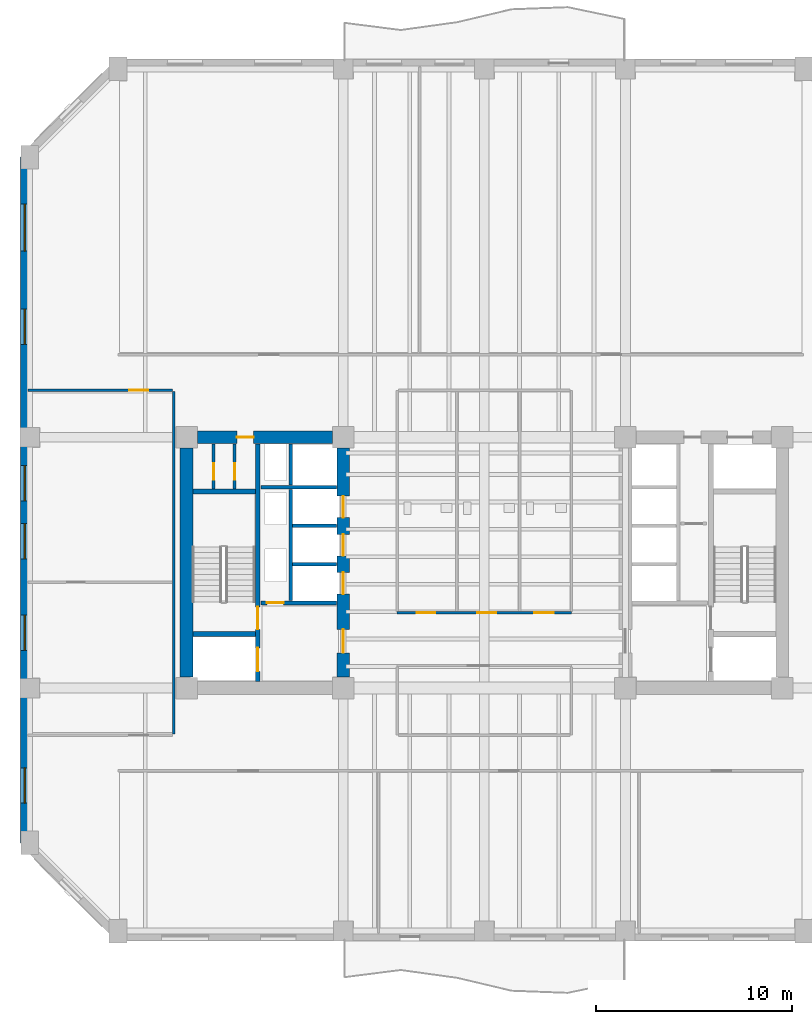
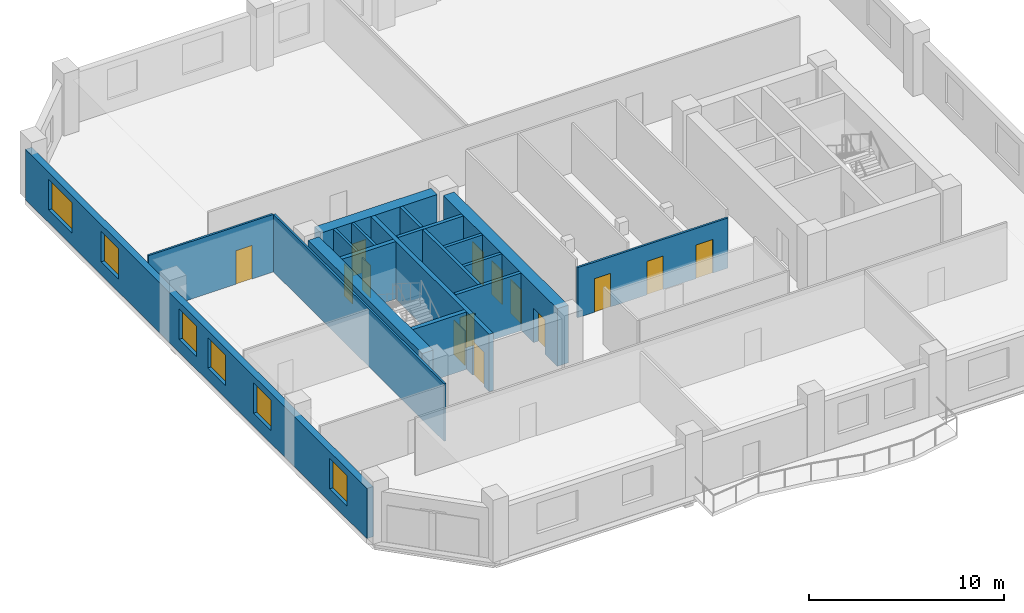
# One storey, part 3 of 10: 18 walls, 14 doors, 6 windows, 20 openings.
"""IFC4 building model written with IfcOpenShell, lengths in metres."""

from ifc_helpers import new_model, si_unit, direction, frame, frame_2d, origin, place, context, subcontext, project, spatial, rectangle, extrude, material, layer, layer_set, type_object, element, fill, save


model = new_model("IFC4")

# Units and contexts
model_context = context("Model", 3, precision=1e-05, world=origin(), true_north=direction((0.0, 1.0)))
body_context = subcontext(model_context, "Body", "Model", "MODEL_VIEW")
ifc_project = project(units=[si_unit("LENGTHUNIT", "METRE"), si_unit("AREAUNIT", "SQUARE_METRE"), si_unit("VOLUMEUNIT", "CUBIC_METRE"), si_unit("PLANEANGLEUNIT", "RADIAN"), si_unit("MASSUNIT", "GRAM", prefix="KILO")], contexts=[model_context])

# Site, building, storey
site_placement = place(None, origin())
site = spatial("IfcSite", under=ifc_project, at=site_placement, CompositionType="ELEMENT")
building_placement = place(site_placement, origin())
building = spatial("IfcBuilding", under=site, at=building_placement, Name="Kranthara Brick Stack", CompositionType="ELEMENT")
storey_placement = place(building_placement, frame((0.0, 0.0, 102.300048828125)))
storey = spatial("IfcBuildingStorey", under=building, at=storey_placement, Name="L25", CompositionType="ELEMENT", Elevation=102.300048828125)

# Wall, openings, windows
ifc_material_1 = material(Name="Kiln-fired clay brick masonry M15", Category="masonry")
ifc_layer_1 = layer(ifc_material_1, 0.3798828125)
ifc_layer_set_1 = layer_set([ifc_layer_1], Name="Kiln-fired clay brick masonry M15")
wall_type_1 = type_object("IfcWallType", Name="WL-BRK-PIER-380", PredefinedType="STANDARD", material=ifc_layer_set_1)
wall_1_placement = place(storey_placement, frame((4.510009765625, 12.89990234375, 0.0), z_axis=(0.0, 0.0, 1.0), x_axis=(0.0, 1.0, 0.0)))
wall_1 = element("IfcWall", 1, at=wall_1_placement, inside=storey, type_object=wall_type_1, Name="L25 Exterior Brick Facade Wall WEST 1", PredefinedType="STANDARD", context=body_context, shape_type="SweptSolid", body=[
    extrude(rectangle(XDim=35.0, YDim=0.3798828125, at=frame_2d((17.5, 0.0))), origin(), (0.0, 0.0, 1.0), 3.135009765625),
])
opening_1_placement = place(wall_1_placement, frame((2.02490234375, 0.0, 0.800048828125)))
opening_1 = element("IfcOpeningElement", 2, at=opening_1_placement, cuts=wall_1, Name="Opening WN01", PredefinedType="OPENING", context=body_context, shape_type="SweptSolid", body=[
    extrude(rectangle(XDim=1.800048828125, YDim=1.89990234375, at=frame_2d((0.89990234375, 0.949951171875))), frame((0.0, 0.199951171875, 0.0), z_axis=(0.0, -1.0, 0.0), x_axis=(1.0, 0.0, 0.0)), (0.0, 0.0, 1.0), 0.39990234375),
])
opening_2_placement = place(wall_1_placement, frame((9.824951171875, 0.0, 0.800048828125)))
opening_2 = element("IfcOpeningElement", 3, at=opening_2_placement, cuts=wall_1, Name="Opening WN01", PredefinedType="OPENING", context=body_context, shape_type="SweptSolid", body=[
    extrude(rectangle(XDim=1.800048828125, YDim=1.89990234375, at=frame_2d((0.89990234375, 0.949951171875))), frame((0.0, 0.199951171875, 0.0), z_axis=(0.0, -1.0, 0.0), x_axis=(1.0, 0.0, 0.0)), (0.0, 0.0, 1.0), 0.39990234375),
])
opening_3_placement = place(wall_1_placement, frame((14.4990234375, 0.0, 0.800048828125)))
opening_3 = element("IfcOpeningElement", 4, at=opening_3_placement, cuts=wall_1, Name="Opening WN01", PredefinedType="OPENING", context=body_context, shape_type="SweptSolid", body=[
    extrude(rectangle(XDim=1.800048828125, YDim=1.89990234375, at=frame_2d((0.89990234375, 0.949951171875))), frame((0.0, 0.199951171875, 0.0), z_axis=(0.0, -1.0, 0.0), x_axis=(1.0, 0.0, 0.0)), (0.0, 0.0, 1.0), 0.39990234375),
])
opening_4_placement = place(wall_1_placement, frame((17.450927734375, 0.0, 0.800048828125)))
opening_4 = element("IfcOpeningElement", 5, at=opening_4_placement, cuts=wall_1, Name="Opening WN01", PredefinedType="OPENING", context=body_context, shape_type="SweptSolid", body=[
    extrude(rectangle(XDim=1.800048828125, YDim=1.89990234375, at=frame_2d((0.89990234375, 0.949951171875))), frame((0.0, 0.199951171875, 0.0), z_axis=(0.0, -1.0, 0.0), x_axis=(1.0, 0.0, 0.0)), (0.0, 0.0, 1.0), 0.39990234375),
])
opening_5_placement = place(wall_1_placement, frame((25.443115234375, 0.0, 0.800048828125)))
opening_5 = element("IfcOpeningElement", 6, at=opening_5_placement, cuts=wall_1, Name="Opening WN01", PredefinedType="OPENING", context=body_context, shape_type="SweptSolid", body=[
    extrude(rectangle(XDim=1.800048828125, YDim=1.89990234375, at=frame_2d((0.89990234375, 0.949951171875))), frame((0.0, 0.199951171875, 0.0), z_axis=(0.0, -1.0, 0.0), x_axis=(1.0, 0.0, 0.0)), (0.0, 0.0, 1.0), 0.39990234375),
])
opening_6_placement = place(wall_1_placement, frame((30.20703125, 0.0, 0.800048828125)))
opening_6 = element("IfcOpeningElement", 7, at=opening_6_placement, cuts=wall_1, Name="Opening WN02", PredefinedType="OPENING", context=body_context, shape_type="SweptSolid", body=[
    extrude(rectangle(XDim=2.39990234375, YDim=1.89990234375, at=frame_2d((1.199951171875, 0.949951171875))), frame((0.0, 0.199951171875, 0.0), z_axis=(0.0, -1.0, 0.0), x_axis=(1.0, 0.0, 0.0)), (0.0, 0.0, 1.0), 0.39990234375),
])
ifc_material_2 = material(Name="Double-glazed low-E solar control glass", Category="glass")
window_type_1 = type_object("IfcWindowType", Name="WN-OFF-1800x2000", PartitioningType="SINGLE_PANEL", PredefinedType="WINDOW", material=ifc_material_2)
window_1_placement = place(opening_1_placement, origin())
window_1 = element("IfcWindow", 8, at=window_1_placement, inside=storey, type_object=window_type_1, Name="L25 West Deep-Set Brick Window 01", OverallHeight=1.89990234375, OverallWidth=1.800048828125, PartitioningType="SINGLE_PANEL", PredefinedType="WINDOW", context=body_context, shape_type="SweptSolid", body=[
    extrude(rectangle(XDim=1.800048828125, YDim=1.89990234375, at=frame_2d((0.89990234375, 0.949951171875))), frame((0.0, -0.010009765625, 0.0), z_axis=(0.0, -1.0, 0.0), x_axis=(1.0, 0.0, 0.0)), (0.0, 0.0, 1.0), 0.06005859375),
])
fill(opening_1, window_1)
window_2_placement = place(opening_2_placement, origin())
window_2 = element("IfcWindow", 9, at=window_2_placement, inside=storey, type_object=window_type_1, Name="L25 West Deep-Set Brick Window 02", OverallHeight=1.89990234375, OverallWidth=1.800048828125, PartitioningType="SINGLE_PANEL", PredefinedType="WINDOW", context=body_context, shape_type="SweptSolid", body=[
    extrude(rectangle(XDim=1.800048828125, YDim=1.89990234375, at=frame_2d((0.89990234375, 0.949951171875))), frame((0.0, -0.010009765625, 0.0), z_axis=(0.0, -1.0, 0.0), x_axis=(1.0, 0.0, 0.0)), (0.0, 0.0, 1.0), 0.06005859375),
])
fill(opening_2, window_2)
window_3_placement = place(opening_3_placement, origin())
window_3 = element("IfcWindow", 10, at=window_3_placement, inside=storey, type_object=window_type_1, Name="L25 West Deep-Set Brick Window 03", OverallHeight=1.89990234375, OverallWidth=1.800048828125, PartitioningType="SINGLE_PANEL", PredefinedType="WINDOW", context=body_context, shape_type="SweptSolid", body=[
    extrude(rectangle(XDim=1.800048828125, YDim=1.89990234375, at=frame_2d((0.89990234375, 0.949951171875))), frame((0.0, -0.010009765625, 0.0), z_axis=(0.0, -1.0, 0.0), x_axis=(1.0, 0.0, 0.0)), (0.0, 0.0, 1.0), 0.06005859375),
])
fill(opening_3, window_3)
window_4_placement = place(opening_4_placement, origin())
window_4 = element("IfcWindow", 11, at=window_4_placement, inside=storey, type_object=window_type_1, Name="L25 West Deep-Set Brick Window 04", OverallHeight=1.89990234375, OverallWidth=1.800048828125, PartitioningType="SINGLE_PANEL", PredefinedType="WINDOW", context=body_context, shape_type="SweptSolid", body=[
    extrude(rectangle(XDim=1.800048828125, YDim=1.89990234375, at=frame_2d((0.89990234375, 0.949951171875))), frame((0.0, -0.010009765625, 0.0), z_axis=(0.0, -1.0, 0.0), x_axis=(1.0, 0.0, 0.0)), (0.0, 0.0, 1.0), 0.06005859375),
])
fill(opening_4, window_4)
window_5_placement = place(opening_5_placement, origin())
window_5 = element("IfcWindow", 12, at=window_5_placement, inside=storey, type_object=window_type_1, Name="L25 West Deep-Set Brick Window 05", OverallHeight=1.89990234375, OverallWidth=1.800048828125, PartitioningType="SINGLE_PANEL", PredefinedType="WINDOW", context=body_context, shape_type="SweptSolid", body=[
    extrude(rectangle(XDim=1.800048828125, YDim=1.89990234375, at=frame_2d((0.89990234375, 0.949951171875))), frame((0.0, -0.010009765625, 0.0), z_axis=(0.0, -1.0, 0.0), x_axis=(1.0, 0.0, 0.0)), (0.0, 0.0, 1.0), 0.06005859375),
])
fill(opening_5, window_5)
ifc_material_3 = material(Name="Double-glazed low-E solar control glass", Category="glass")
window_type_2 = type_object("IfcWindowType", Name="WN-OFF-2400x2000", PartitioningType="DOUBLE_PANEL_VERTICAL", PredefinedType="WINDOW", material=ifc_material_3)
window_6_placement = place(opening_6_placement, origin())
window_6 = element("IfcWindow", 13, at=window_6_placement, inside=storey, type_object=window_type_2, Name="L25 West Deep-Set Brick Window 06", OverallHeight=1.89990234375, OverallWidth=2.39990234375, PartitioningType="SINGLE_PANEL", PredefinedType="WINDOW", context=body_context, shape_type="SweptSolid", body=[
    extrude(rectangle(XDim=2.39990234375, YDim=1.89990234375, at=frame_2d((1.199951171875, 0.949951171875))), frame((0.0, -0.010009765625, 0.0), z_axis=(0.0, -1.0, 0.0), x_axis=(1.0, 0.0, 0.0)), (0.0, 0.0, 1.0), 0.06005859375),
])
fill(opening_6, window_6)

# Wall, openings, doors
ifc_material_4 = material(Name="Concrete C50/60", Category="concrete")
ifc_layer_2 = layer(ifc_material_4, 0.25)
ifc_layer_set_2 = layer_set([ifc_layer_2], Name="Concrete C50/60")
wall_type_2 = type_object("IfcWallType", Name="WL-CORE-250", PredefinedType="SHEAR", material=ifc_layer_set_2)
wall_2_placement = place(storey_placement, frame((16.43505859375, 21.135009765625, 0.0), z_axis=(0.0, 0.0, 1.0), x_axis=(0.0, 1.0, 0.0)))
wall_2 = element("IfcWall", 14, at=wall_2_placement, inside=storey, type_object=wall_type_2, Name="L25 West Core Stair Bearing Spine Wall", PredefinedType="SHEAR", context=body_context, shape_type="SweptSolid", body=[
    extrude(rectangle(XDim=12.1298828125, YDim=0.25, at=frame_2d((6.06494140625, 0.0))), origin(), (0.0, 0.0, 1.0), 3.599853515625),
])
opening_7_placement = place(wall_2_placement, frame((0.514892578125, 0.0, 0.0)))
opening_7 = element("IfcOpeningElement", 15, at=opening_7_placement, cuts=wall_2, Name="Opening LD01", PredefinedType="OPENING", context=body_context, shape_type="SweptSolid", body=[
    extrude(rectangle(XDim=1.199951171875, YDim=2.14990234375, at=frame_2d((0.60009765625, 1.074951171875))), frame((0.0, 0.135009765625, 0.0), z_axis=(0.0, -1.0, 0.0), x_axis=(1.0, 0.0, 0.0)), (0.0, 0.0, 1.0), 0.27001953125),
])
opening_8_placement = place(wall_2_placement, frame((2.6650390625, 0.0, 0.0)))
opening_8 = element("IfcOpeningElement", 16, at=opening_8_placement, cuts=wall_2, Name="Opening D05", PredefinedType="OPENING", context=body_context, shape_type="SweptSolid", body=[
    extrude(rectangle(XDim=1.14990234375, YDim=2.14990234375, at=frame_2d((0.574951171875, 1.074951171875))), frame((0.0, 0.135009765625, 0.0), z_axis=(0.0, -1.0, 0.0), x_axis=(1.0, 0.0, 0.0)), (0.0, 0.0, 1.0), 0.27001953125),
])
ifc_material_5 = material(Name="Stainless steel sliding landing door", Category="steel")
door_type_1 = type_object("IfcDoorType", Name="DR-LD-FF1200", OperationType="DOUBLE_DOOR_SLIDING", PredefinedType="DOOR", material=ifc_material_5)
door_1_placement = place(opening_7_placement, origin())
door_1 = element("IfcDoor", 17, at=door_1_placement, inside=storey, type_object=door_type_1, Name="L25 Firefighting Lift FF-01 Landing Door", OperationType="DOUBLE_DOOR_SLIDING", OverallHeight=2.14990234375, OverallWidth=1.199951171875, PredefinedType="DOOR", context=body_context, shape_type="SweptSolid", body=[
    extrude(rectangle(XDim=1.199951171875, YDim=2.14990234375, at=frame_2d((0.60009765625, 1.074951171875))), frame((0.0, 0.02490234375, 0.0), z_axis=(0.0, -1.0, 0.0), x_axis=(1.0, 0.0, 0.0)), (0.0, 0.0, 1.0), 0.050048828125),
])
fill(opening_7, door_1)
ifc_material_6 = material(Name="Solid-core hardwood timber leaf in steel frame", Category="steel")
door_type_2 = type_object("IfcDoorType", Name="DR-ST-1150", OperationType="NOTDEFINED", PredefinedType="DOOR", material=ifc_material_6)
door_2_placement = place(opening_8_placement, origin())
door_2 = element("IfcDoor", 18, at=door_2_placement, inside=storey, type_object=door_type_2, Name="L25 Exit Stair ST01 Door", OperationType="SINGLE_SWING_RIGHT", OverallHeight=2.14990234375, OverallWidth=1.14990234375, PredefinedType="DOOR", context=body_context, shape_type="SweptSolid", body=[
    extrude(rectangle(XDim=1.14990234375, YDim=2.14990234375, at=frame_2d((0.574951171875, 1.074951171875))), frame((0.0, 0.02490234375, 0.0), z_axis=(0.0, -1.0, 0.0), x_axis=(1.0, 0.0, 0.0)), (0.0, 0.0, 1.0), 0.050048828125),
])
fill(opening_8, door_2)

# Walls
for number, where, z_axis, x_axis, name in (
    (19, (13.135009765625, 23.570068359375, 0.0), (0.0, 0.0, 1.0), (1.0, 0.0, 0.0), "L25 West Stairwell Bearing Wall WFF"),
    (20, (13.135009765625, 30.830078125, 0.0), (0.0, 0.0, 1.0), (1.0, 0.0, 0.0), "L25 West Stairwell Bearing Wall WST"),
):
    element("IfcWall", number, at=place(storey_placement, frame(where, z_axis=z_axis, x_axis=x_axis)), inside=storey, type_object=wall_type_2, Name=name, PredefinedType="SHEAR", context=body_context, shape_type="SweptSolid", body=[
        extrude(rectangle(XDim=3.175048828125, YDim=0.25, at=frame_2d((1.58740234375, 0.0))), origin(), (0.0, 0.0, 1.0), 3.599853515625),
    ])
ifc_material_7 = material(Name="Concrete C60/75", Category="concrete")
ifc_layer_3 = layer(ifc_material_7, 0.64990234375)
ifc_layer_set_3 = layer_set([ifc_layer_3], Name="Concrete C60/75")
wall_type_3 = type_object("IfcWallType", Name="WL-CORE-650", PredefinedType="SHEAR", material=ifc_layer_set_3)
wall_3_placement = place(storey_placement, frame((12.800048828125, 21.35498046875, 0.0), z_axis=(0.0, 0.0, 1.0), x_axis=(0.0, 1.0, 0.0)))
element("IfcWall", 21, at=wall_3_placement, inside=storey, type_object=wall_type_3, Name="L25 West Core Shear Wall West", PredefinedType="SHEAR", context=body_context, shape_type="SweptSolid", body=[
    extrude(rectangle(XDim=11.68994140625, YDim=0.64990234375, at=frame_2d((5.844970703125, 0.0))), origin(), (0.0, 0.0, 1.0), 3.599853515625),
])

# Wall, opening, door
wall_4_placement = place(storey_placement, frame((13.35498046875, 33.60009765625, 0.0), z_axis=(0.0, 0.0, 1.0), x_axis=(1.0, 0.0, 0.0)))
wall_4 = element("IfcWall", 22, at=wall_4_placement, inside=storey, type_object=wall_type_3, Name="L25 West Core Shear Wall North", PredefinedType="SHEAR", context=body_context, shape_type="SweptSolid", body=[
    extrude(rectangle(XDim=6.89013671875, YDim=0.64990234375, at=frame_2d((3.445068359375, 0.0))), origin(), (0.0, 0.0, 1.0), 3.599853515625),
])
opening_9_placement = place(wall_4_placement, frame((2.014892578125, 0.0, 0.0)))
opening_9 = element("IfcOpeningElement", 23, at=opening_9_placement, cuts=wall_4, Name="Opening D10", PredefinedType="OPENING", context=body_context, shape_type="SweptSolid", body=[
    extrude(rectangle(XDim=0.85009765625, YDim=2.02001953125, at=frame_2d((0.425048828125, 1.010009765625))), frame((0.0, 0.3349609375, 0.0), z_axis=(0.0, -1.0, 0.0), x_axis=(1.0, 0.0, 0.0)), (0.0, 0.0, 1.0), 0.669921875),
])
ifc_material_8 = material(Name="Solid-core hardwood timber leaf in steel frame", Category="steel")
door_type_3 = type_object("IfcDoorType", Name="DR-RSR-850", OperationType="NOTDEFINED", PredefinedType="DOOR", material=ifc_material_8)
door_3_placement = place(opening_9_placement, origin())
door_3 = element("IfcDoor", 24, at=door_3_placement, inside=storey, type_object=door_type_3, Name="L25 West Core Service Door 1", OperationType="SINGLE_SWING_RIGHT", OverallHeight=2.02001953125, OverallWidth=0.85009765625, PredefinedType="DOOR", context=body_context, shape_type="SweptSolid", body=[
    extrude(rectangle(XDim=0.85009765625, YDim=2.02001953125, at=frame_2d((0.425048828125, 1.010009765625))), frame((0.0, 0.02490234375, 0.0), z_axis=(0.0, -1.0, 0.0), x_axis=(1.0, 0.0, 0.0)), (0.0, 0.0, 1.0), 0.050048828125),
])
fill(opening_9, door_3)

# Wall, openings, doors
wall_5_placement = place(storey_placement, frame((20.800048828125, 21.35498046875, 0.0), z_axis=(0.0, 0.0, 1.0), x_axis=(0.0, 1.0, 0.0)))
wall_5 = element("IfcWall", 25, at=wall_5_placement, inside=storey, type_object=wall_type_3, Name="L25 West Core Shear Wall East", PredefinedType="SHEAR", context=body_context, shape_type="SweptSolid", body=[
    extrude(rectangle(XDim=11.68994140625, YDim=0.64990234375, at=frame_2d((5.844970703125, 0.0))), origin(), (0.0, 0.0, 1.0), 3.599853515625),
])
opening_10_placement = place(wall_5_placement, frame((1.2451171875, 0.0, 0.0)))
opening_10 = element("IfcOpeningElement", 26, at=opening_10_placement, cuts=wall_5, Name="Opening D06", PredefinedType="OPENING", context=body_context, shape_type="SweptSolid", body=[
    extrude(rectangle(XDim=1.199951171875, YDim=2.14990234375, at=frame_2d((0.60009765625, 1.074951171875))), frame((0.0, 0.3349609375, 0.0), z_axis=(0.0, -1.0, 0.0), x_axis=(1.0, 0.0, 0.0)), (0.0, 0.0, 1.0), 0.669921875),
])
opening_11_placement = place(wall_5_placement, frame((4.2451171875, 0.0, 0.0)))
opening_11 = element("IfcOpeningElement", 27, at=opening_11_placement, cuts=wall_5, Name="Opening LD02", PredefinedType="OPENING", context=body_context, shape_type="SweptSolid", body=[
    extrude(rectangle(XDim=1.10009765625, YDim=2.10009765625, at=frame_2d((0.550048828125, 1.050048828125))), frame((0.0, 0.3349609375, 0.0), z_axis=(0.0, -1.0, 0.0), x_axis=(1.0, 0.0, 0.0)), (0.0, 0.0, 1.0), 0.669921875),
])
opening_12_placement = place(wall_5_placement, frame((6.195068359375, 0.0, 0.0)))
opening_12 = element("IfcOpeningElement", 28, at=opening_12_placement, cuts=wall_5, Name="Opening LD02", PredefinedType="OPENING", context=body_context, shape_type="SweptSolid", body=[
    extrude(rectangle(XDim=1.10009765625, YDim=2.10009765625, at=frame_2d((0.550048828125, 1.050048828125))), frame((0.0, 0.3349609375, 0.0), z_axis=(0.0, -1.0, 0.0), x_axis=(1.0, 0.0, 0.0)), (0.0, 0.0, 1.0), 0.669921875),
])
opening_13_placement = place(wall_5_placement, frame((8.14501953125, 0.0, 0.0)))
opening_13 = element("IfcOpeningElement", 29, at=opening_13_placement, cuts=wall_5, Name="Opening LD02", PredefinedType="OPENING", context=body_context, shape_type="SweptSolid", body=[
    extrude(rectangle(XDim=1.10009765625, YDim=2.10009765625, at=frame_2d((0.550048828125, 1.050048828125))), frame((0.0, 0.3349609375, 0.0), z_axis=(0.0, -1.0, 0.0), x_axis=(1.0, 0.0, 0.0)), (0.0, 0.0, 1.0), 0.669921875),
])
ifc_material_9 = material(Name="Solid-core hardwood timber leaf in steel frame", Category="steel")
door_type_4 = type_object("IfcDoorType", Name="DR-FFL-1200", OperationType="NOTDEFINED", PredefinedType="DOOR", material=ifc_material_9)
door_4_placement = place(opening_10_placement, origin())
door_4 = element("IfcDoor", 30, at=door_4_placement, inside=storey, type_object=door_type_4, Name="L25 West Firefighting Lobby Door", OperationType="SINGLE_SWING_LEFT", OverallHeight=2.14990234375, OverallWidth=1.199951171875, PredefinedType="DOOR", context=body_context, shape_type="SweptSolid", body=[
    extrude(rectangle(XDim=1.199951171875, YDim=2.14990234375, at=frame_2d((0.60009765625, 1.074951171875))), frame((0.0, 0.02490234375, 0.0), z_axis=(0.0, -1.0, 0.0), x_axis=(1.0, 0.0, 0.0)), (0.0, 0.0, 1.0), 0.050048828125),
])
fill(opening_10, door_4)
ifc_material_10 = material(Name="Stainless steel sliding landing door", Category="steel")
door_type_5 = type_object("IfcDoorType", Name="DR-LD-PL1100", OperationType="DOUBLE_DOOR_SLIDING", PredefinedType="DOOR", material=ifc_material_10)
door_5_placement = place(opening_11_placement, origin())
door_5 = element("IfcDoor", 31, at=door_5_placement, inside=storey, type_object=door_type_5, Name="L25 PL-01 Lift Landing Door", OperationType="DOUBLE_DOOR_SLIDING", OverallHeight=2.10009765625, OverallWidth=1.10009765625, PredefinedType="DOOR", context=body_context, shape_type="SweptSolid", body=[
    extrude(rectangle(XDim=1.10009765625, YDim=2.10009765625, at=frame_2d((0.550048828125, 1.050048828125))), frame((0.0, 0.02490234375, 0.0), z_axis=(0.0, -1.0, 0.0), x_axis=(1.0, 0.0, 0.0)), (0.0, 0.0, 1.0), 0.050048828125),
])
fill(opening_11, door_5)
door_6_placement = place(opening_12_placement, origin())
door_6 = element("IfcDoor", 32, at=door_6_placement, inside=storey, type_object=door_type_5, Name="L25 PL-02 Lift Landing Door", OperationType="DOUBLE_DOOR_SLIDING", OverallHeight=2.10009765625, OverallWidth=1.10009765625, PredefinedType="DOOR", context=body_context, shape_type="SweptSolid", body=[
    extrude(rectangle(XDim=1.10009765625, YDim=2.10009765625, at=frame_2d((0.550048828125, 1.050048828125))), frame((0.0, 0.02490234375, 0.0), z_axis=(0.0, -1.0, 0.0), x_axis=(1.0, 0.0, 0.0)), (0.0, 0.0, 1.0), 0.050048828125),
])
fill(opening_12, door_6)
door_7_placement = place(opening_13_placement, origin())
door_7 = element("IfcDoor", 33, at=door_7_placement, inside=storey, type_object=door_type_5, Name="L25 PL-03 Lift Landing Door", OperationType="DOUBLE_DOOR_SLIDING", OverallHeight=2.10009765625, OverallWidth=1.10009765625, PredefinedType="DOOR", context=body_context, shape_type="SweptSolid", body=[
    extrude(rectangle(XDim=1.10009765625, YDim=2.10009765625, at=frame_2d((0.550048828125, 1.050048828125))), frame((0.0, 0.02490234375, 0.0), z_axis=(0.0, -1.0, 0.0), x_axis=(1.0, 0.0, 0.0)), (0.0, 0.0, 1.0), 0.050048828125),
])
fill(opening_13, door_7)

ifc_material_11 = material(Name="Acoustic gypsum plasterboard partition", Category="other")
ifc_layer_4 = layer(ifc_material_11, 0.1201171875)
ifc_layer_set_4 = layer_set([ifc_layer_4], Name="Acoustic gypsum plasterboard partition")
wall_type_4 = type_object("IfcWallType", Name="WL-PART-120", PredefinedType="PARTITIONING", material=ifc_layer_set_4)
wall_6_placement = place(storey_placement, frame((23.550048828125, 24.64990234375, 0.0), z_axis=(0.0, 0.0, 1.0), x_axis=(1.0, 0.0, 0.0)))
wall_6 = element("IfcWall", 34, at=wall_6_placement, inside=storey, type_object=wall_type_4, Name="L25 Interior Partition 004", PredefinedType="PARTITIONING", context=body_context, shape_type="SweptSolid", body=[
    extrude(rectangle(XDim=8.89990234375, YDim=0.1201171875, at=frame_2d((4.449951171875, 0.0))), origin(), (0.0, 0.0, 1.0), 3.135009765625),
])
opening_14_placement = place(wall_6_placement, frame((1.0, 0.0, 0.0)))
opening_14 = element("IfcOpeningElement", 35, at=opening_14_placement, cuts=wall_6, Name="Opening D14", PredefinedType="OPENING", context=body_context, shape_type="SweptSolid", body=[
    extrude(rectangle(XDim=0.949951171875, YDim=2.10009765625, at=frame_2d((0.47509765625, 1.050048828125))), frame((0.0, 0.070068359375, 0.0), z_axis=(0.0, -1.0, 0.0), x_axis=(1.0, 0.0, 0.0)), (0.0, 0.0, 1.0), 0.14013671875),
])
opening_15_placement = place(wall_6_placement, frame((4.10009765625, 0.0, 0.0)))
opening_15 = element("IfcOpeningElement", 36, at=opening_15_placement, cuts=wall_6, Name="Opening D14", PredefinedType="OPENING", context=body_context, shape_type="SweptSolid", body=[
    extrude(rectangle(XDim=0.949951171875, YDim=2.10009765625, at=frame_2d((0.47509765625, 1.050048828125))), frame((0.0, 0.070068359375, 0.0), z_axis=(0.0, -1.0, 0.0), x_axis=(1.0, 0.0, 0.0)), (0.0, 0.0, 1.0), 0.14013671875),
])
opening_16_placement = place(wall_6_placement, frame((7.0, 0.0, 0.0)))
opening_16 = element("IfcOpeningElement", 37, at=opening_16_placement, cuts=wall_6, Name="Opening D18", PredefinedType="OPENING", context=body_context, shape_type="SweptSolid", body=[
    extrude(rectangle(XDim=1.0, YDim=2.10009765625, at=frame_2d((0.5, 1.050048828125))), frame((0.0, 0.070068359375, 0.0), z_axis=(0.0, -1.0, 0.0), x_axis=(1.0, 0.0, 0.0)), (0.0, 0.0, 1.0), 0.14013671875),
])
ifc_material_12 = material(Name="Solid-core hardwood timber leaf in steel frame", Category="steel")
door_type_6 = type_object("IfcDoorType", Name="DR-ACC-1000", OperationType="NOTDEFINED", PredefinedType="DOOR", material=ifc_material_12)
door_8_placement = place(opening_16_placement, origin())
door_8 = element("IfcDoor", 38, at=door_8_placement, inside=storey, type_object=door_type_6, Name="L25 Accessible WC Door 06", OperationType="SINGLE_SWING_RIGHT", OverallHeight=2.10009765625, OverallWidth=1.0, PredefinedType="DOOR", context=body_context, shape_type="SweptSolid", body=[
    extrude(rectangle(XDim=1.0, YDim=2.10009765625, at=frame_2d((0.5, 1.050048828125))), frame((0.0, 0.02490234375, 0.0), z_axis=(0.0, -1.0, 0.0), x_axis=(1.0, 0.0, 0.0)), (0.0, 0.0, 1.0), 0.050048828125),
])
fill(opening_16, door_8)
ifc_material_13 = material(Name="Solid-core hardwood timber leaf in steel frame", Category="steel")
door_type_7 = type_object("IfcDoorType", Name="DR-INT-950", OperationType="NOTDEFINED", PredefinedType="DOOR", material=ifc_material_13)
door_9_placement = place(opening_14_placement, origin())
door_9 = element("IfcDoor", 39, at=door_9_placement, inside=storey, type_object=door_type_7, Name="L25 Male WC Door 04", OperationType="SINGLE_SWING_RIGHT", OverallHeight=2.10009765625, OverallWidth=0.949951171875, PredefinedType="DOOR", context=body_context, shape_type="SweptSolid", body=[
    extrude(rectangle(XDim=0.949951171875, YDim=2.10009765625, at=frame_2d((0.47509765625, 1.050048828125))), frame((0.0, 0.02490234375, 0.0), z_axis=(0.0, -1.0, 0.0), x_axis=(1.0, 0.0, 0.0)), (0.0, 0.0, 1.0), 0.050048828125),
])
fill(opening_14, door_9)
door_10_placement = place(opening_15_placement, origin())
door_10 = element("IfcDoor", 40, at=door_10_placement, inside=storey, type_object=door_type_7, Name="L25 Female WC Door 05", OperationType="SINGLE_SWING_LEFT", OverallHeight=2.10009765625, OverallWidth=0.949951171875, PredefinedType="DOOR", context=body_context, shape_type="SweptSolid", body=[
    extrude(rectangle(XDim=0.949951171875, YDim=2.10009765625, at=frame_2d((0.47509765625, 1.050048828125))), frame((0.0, 0.02490234375, 0.0), z_axis=(0.0, -1.0, 0.0), x_axis=(1.0, 0.0, 0.0)), (0.0, 0.0, 1.0), 0.050048828125),
])
fill(opening_15, door_10)

# Wall
wall_7_placement = place(storey_placement, frame((12.14990234375, 18.449951171875, 0.0), z_axis=(0.0, 0.0, 1.0), x_axis=(0.0, 1.0, 0.0)))
element("IfcWall", 41, at=wall_7_placement, inside=storey, type_object=wall_type_4, Name="L25 Interior Partition 019", PredefinedType="PARTITIONING", context=body_context, shape_type="SweptSolid", body=[
    extrude(rectangle(XDim=17.5, YDim=0.1201171875, at=frame_2d((8.75, 0.0))), origin(), (0.0, 0.0, 1.0), 3.599853515625),
])

# Wall, opening, door
wall_8_placement = place(storey_placement, frame((4.705078125, 36.0, 0.0), z_axis=(0.0, 0.0, 1.0), x_axis=(1.0, 0.0, 0.0)))
wall_8 = element("IfcWall", 42, at=wall_8_placement, inside=storey, type_object=wall_type_4, Name="L25 Interior Partition 021", PredefinedType="PARTITIONING", context=body_context, shape_type="SweptSolid", body=[
    extrude(rectangle(XDim=7.3798828125, YDim=0.1201171875, at=frame_2d((3.68994140625, 0.0))), origin(), (0.0, 0.0, 1.0), 3.599853515625),
])
opening_17_placement = place(wall_8_placement, frame((5.179931640625, 0.0, 0.0)))
opening_17 = element("IfcOpeningElement", 43, at=opening_17_placement, cuts=wall_8, Name="Opening D14", PredefinedType="OPENING", context=body_context, shape_type="SweptSolid", body=[
    extrude(rectangle(XDim=0.949951171875, YDim=2.10009765625, at=frame_2d((0.47509765625, 1.050048828125))), frame((0.0, 0.070068359375, 0.0), z_axis=(0.0, -1.0, 0.0), x_axis=(1.0, 0.0, 0.0)), (0.0, 0.0, 1.0), 0.14013671875),
])
door_11_placement = place(opening_17_placement, origin())
door_11 = element("IfcDoor", 44, at=door_11_placement, inside=storey, type_object=door_type_7, Name="L25 West North Office 15", OperationType="SINGLE_SWING_LEFT", OverallHeight=2.10009765625, OverallWidth=0.949951171875, PredefinedType="DOOR", context=body_context, shape_type="SweptSolid", body=[
    extrude(rectangle(XDim=0.949951171875, YDim=2.10009765625, at=frame_2d((0.47509765625, 1.050048828125))), frame((0.0, 0.02490234375, 0.0), z_axis=(0.0, -1.0, 0.0), x_axis=(1.0, 0.0, 0.0)), (0.0, 0.0, 1.0), 0.050048828125),
])
fill(opening_17, door_11)

ifc_material_14 = material(Name="Fire-rated gypsum board partition", Category="other")
ifc_layer_5 = layer(ifc_material_14, 0.14990234375)
ifc_layer_set_5 = layer_set([ifc_layer_5], Name="Fire-rated gypsum board partition")
wall_type_5 = type_object("IfcWallType", Name="WL-PART-150", PredefinedType="PARTITIONING", material=ifc_layer_set_5)
wall_9_placement = place(storey_placement, frame((14.179931640625, 30.9599609375, 0.0), z_axis=(0.0, 0.0, 1.0), x_axis=(0.0, 1.0, 0.0)))
wall_9 = element("IfcWall", 45, at=wall_9_placement, inside=storey, type_object=wall_type_5, Name="L25 Interior Partition 001", PredefinedType="PARTITIONING", context=body_context, shape_type="SweptSolid", body=[
    extrude(rectangle(XDim=2.31005859375, YDim=0.14990234375, at=frame_2d((1.155029296875, 0.0))), origin(), (0.0, 0.0, 1.0), 3.599853515625),
])
opening_18_placement = place(wall_9_placement, frame((0.469970703125, 0.0, 0.0)))
opening_18 = element("IfcOpeningElement", 46, at=opening_18_placement, cuts=wall_9, Name="Opening D10", PredefinedType="OPENING", context=body_context, shape_type="SweptSolid", body=[
    extrude(rectangle(XDim=0.85009765625, YDim=2.02001953125, at=frame_2d((0.425048828125, 1.010009765625))), frame((0.0, 0.0849609375, 0.0), z_axis=(0.0, -1.0, 0.0), x_axis=(1.0, 0.0, 0.0)), (0.0, 0.0, 1.0), 0.169921875),
])
door_12_placement = place(opening_18_placement, origin())
door_12 = element("IfcDoor", 47, at=door_12_placement, inside=storey, type_object=door_type_3, Name="L25 Riser Door A 01", OperationType="SINGLE_SWING_LEFT", OverallHeight=2.02001953125, OverallWidth=0.85009765625, PredefinedType="DOOR", context=body_context, shape_type="SweptSolid", body=[
    extrude(rectangle(XDim=0.85009765625, YDim=2.02001953125, at=frame_2d((0.425048828125, 1.010009765625))), frame((0.0, 0.02490234375, 0.0), z_axis=(0.0, -1.0, 0.0), x_axis=(1.0, 0.0, 0.0)), (0.0, 0.0, 1.0), 0.050048828125),
])
fill(opening_18, door_12)

wall_10_placement = place(storey_placement, frame((15.25, 30.9599609375, 0.0), z_axis=(0.0, 0.0, 1.0), x_axis=(0.0, 1.0, 0.0)))
wall_10 = element("IfcWall", 48, at=wall_10_placement, inside=storey, type_object=wall_type_5, Name="L25 Interior Partition 002", PredefinedType="PARTITIONING", context=body_context, shape_type="SweptSolid", body=[
    extrude(rectangle(XDim=2.31005859375, YDim=0.14990234375, at=frame_2d((1.155029296875, 0.0))), origin(), (0.0, 0.0, 1.0), 3.599853515625),
])
opening_19_placement = place(wall_10_placement, frame((0.469970703125, 0.0, 0.0)))
opening_19 = element("IfcOpeningElement", 49, at=opening_19_placement, cuts=wall_10, Name="Opening D10", PredefinedType="OPENING", context=body_context, shape_type="SweptSolid", body=[
    extrude(rectangle(XDim=0.85009765625, YDim=2.02001953125, at=frame_2d((0.425048828125, 1.010009765625))), frame((0.0, 0.0849609375, 0.0), z_axis=(0.0, -1.0, 0.0), x_axis=(1.0, 0.0, 0.0)), (0.0, 0.0, 1.0), 0.169921875),
])
door_13_placement = place(opening_19_placement, origin())
door_13 = element("IfcDoor", 50, at=door_13_placement, inside=storey, type_object=door_type_3, Name="L25 Riser Door B 02", OperationType="SINGLE_SWING_RIGHT", OverallHeight=2.02001953125, OverallWidth=0.85009765625, PredefinedType="DOOR", context=body_context, shape_type="SweptSolid", body=[
    extrude(rectangle(XDim=0.85009765625, YDim=2.02001953125, at=frame_2d((0.425048828125, 1.010009765625))), frame((0.0, 0.02490234375, 0.0), z_axis=(0.0, -1.0, 0.0), x_axis=(1.0, 0.0, 0.0)), (0.0, 0.0, 1.0), 0.050048828125),
])
fill(opening_19, door_13)

# Walls
ifc_material_15 = material(Name="Gypsum plasterboard on acoustic twin stud", Category="other")
ifc_layer_6 = layer(ifc_material_15, 0.179931640625)
ifc_layer_set_6 = layer_set([ifc_layer_6], Name="Gypsum plasterboard on acoustic twin stud")
wall_type_6 = type_object("IfcWallType", Name="WL-PART-180", PredefinedType="PARTITIONING", material=ifc_layer_set_6)
wall_11_placement = place(storey_placement, frame((18.1201171875, 25.27001953125, 0.0), z_axis=(0.0, 0.0, 1.0), x_axis=(0.0, 1.0, 0.0)))
element("IfcWall", 51, at=wall_11_placement, inside=storey, type_object=wall_type_6, Name="L25 West Hoistway Wall WBK", PredefinedType="PARTITIONING", context=body_context, shape_type="SweptSolid", body=[
    extrude(rectangle(XDim=5.659912109375, YDim=0.179931640625, at=frame_2d((2.830078125, 0.0))), origin(), (0.0, 0.0, 1.0), 3.599853515625),
])
wall_12_placement = place(storey_placement, frame((18.1201171875, 31.169921875, 0.0), z_axis=(0.0, 0.0, 1.0), x_axis=(0.0, 1.0, 0.0)))
element("IfcWall", 52, at=wall_12_placement, inside=storey, type_object=wall_type_6, Name="L25 West Hoistway Wall WBK7", PredefinedType="PARTITIONING", context=body_context, shape_type="SweptSolid", body=[
    extrude(rectangle(XDim=2.094970703125, YDim=0.179931640625, at=frame_2d((1.04736328125, 0.0))), origin(), (0.0, 0.0, 1.0), 3.599853515625),
])
for number, where, z_axis, x_axis, name in (
    (53, (18.219970703125, 27.1201171875, 0.0), (0.0, 0.0, 1.0), (1.0, 0.0, 0.0), "L25 West Hoistway Wall WH1"),
    (54, (18.219970703125, 29.080078125, 0.0), (0.0, 0.0, 1.0), (1.0, 0.0, 0.0), "L25 West Hoistway Wall WH2"),
):
    element("IfcWall", number, at=place(storey_placement, frame(where, z_axis=z_axis, x_axis=x_axis)), inside=storey, type_object=wall_type_6, Name=name, PredefinedType="PARTITIONING", context=body_context, shape_type="SweptSolid", body=[
        extrude(rectangle(XDim=2.2451171875, YDim=0.179931640625, at=frame_2d((1.12255859375, 0.0))), origin(), (0.0, 0.0, 1.0), 3.599853515625),
    ])

# Wall, opening, door
ifc_material_16 = material(Name="Concrete C40/50", Category="concrete")
ifc_layer_7 = layer(ifc_material_16, 0.199951171875)
ifc_layer_set_7 = layer_set([ifc_layer_7], Name="Concrete C40/50")
wall_type_7 = type_object("IfcWallType", Name="WL-PART-200", PredefinedType="SOLIDWALL", material=ifc_layer_set_7)
wall_13_placement = place(storey_placement, frame((16.60009765625, 25.14990234375, 0.0), z_axis=(0.0, 0.0, 1.0), x_axis=(1.0, 0.0, 0.0)))
wall_13 = element("IfcWall", 55, at=wall_13_placement, inside=storey, type_object=wall_type_7, Name="L25 West Core Cross Wall WFL", PredefinedType="SOLIDWALL", context=body_context, shape_type="SweptSolid", body=[
    extrude(rectangle(XDim=3.864990234375, YDim=0.199951171875, at=frame_2d((1.9326171875, 0.0))), origin(), (0.0, 0.0, 1.0), 3.599853515625),
])
opening_20_placement = place(wall_13_placement, frame((0.300048828125, 0.0, 0.0)))
opening_20 = element("IfcOpeningElement", 56, at=opening_20_placement, cuts=wall_13, Name="Opening D10", PredefinedType="OPENING", context=body_context, shape_type="SweptSolid", body=[
    extrude(rectangle(XDim=0.85009765625, YDim=2.02001953125, at=frame_2d((0.425048828125, 1.010009765625))), frame((0.0, 0.10986328125, 0.0), z_axis=(0.0, -1.0, 0.0), x_axis=(1.0, 0.0, 0.0)), (0.0, 0.0, 1.0), 0.219970703125),
])
door_14_placement = place(opening_20_placement, origin())
door_14 = element("IfcDoor", 57, at=door_14_placement, inside=storey, type_object=door_type_3, Name="L25 Mechanical Riser Access Door", OperationType="SINGLE_SWING_LEFT", OverallHeight=2.02001953125, OverallWidth=0.85009765625, PredefinedType="DOOR", context=body_context, shape_type="SweptSolid", body=[
    extrude(rectangle(XDim=0.85009765625, YDim=2.02001953125, at=frame_2d((0.425048828125, 1.010009765625))), frame((0.0, 0.02490234375, 0.0), z_axis=(0.0, -1.0, 0.0), x_axis=(1.0, 0.0, 0.0)), (0.0, 0.0, 1.0), 0.050048828125),
])
fill(opening_20, door_14)

# Wall
wall_14_placement = place(storey_placement, frame((16.60009765625, 31.050048828125, 0.0), z_axis=(0.0, 0.0, 1.0), x_axis=(1.0, 0.0, 0.0)))
element("IfcWall", 58, at=wall_14_placement, inside=storey, type_object=wall_type_7, Name="L25 West Core Cross Wall WH4", PredefinedType="SOLIDWALL", context=body_context, shape_type="SweptSolid", body=[
    extrude(rectangle(XDim=3.849853515625, YDim=0.199951171875, at=frame_2d((1.9248046875, 0.0))), origin(), (0.0, 0.0, 1.0), 3.599853515625),
])

save(model, "model.ifc")
